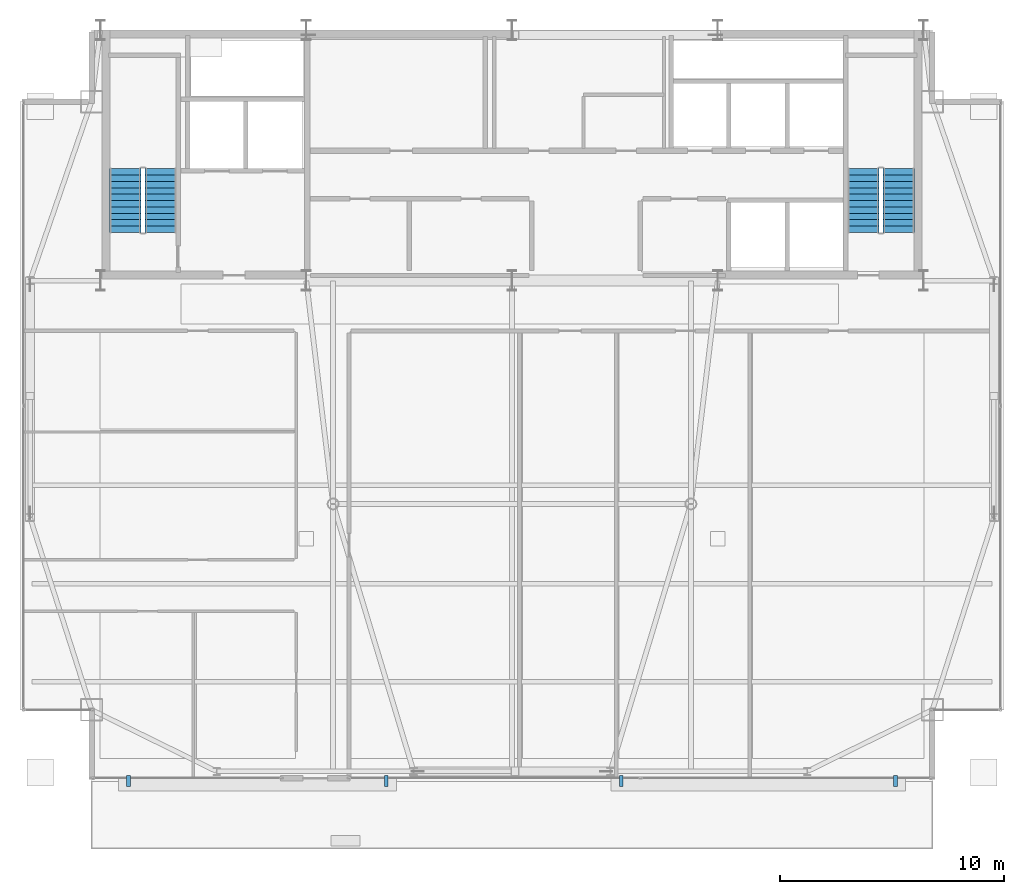
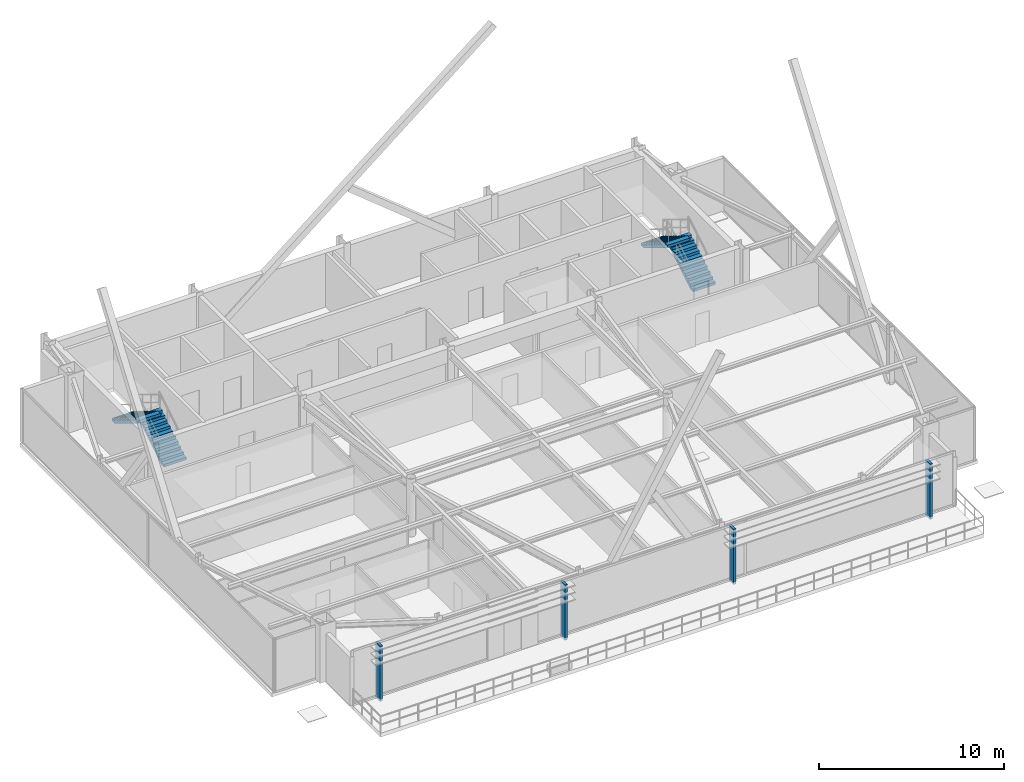
# One storey, part 23 of 25: 4 discrete accessories, 4 stair flights, 2 elements without a shape of their own.
"""IFC4 building model written with IfcOpenShell, lengths in metres."""

from ifc_helpers import new_model, si_unit, direction, frame, origin, origin_2d, place, context, subcontext, project, spatial, polyline, rectangle, outline, extrude, source, transform, mapped, material, layer, layer_set, type_object, type_shapes, element, aggregate, save


model = new_model("IFC4")

# Units and contexts
model_context = context("Model", 3, precision=1e-05, world=origin(), true_north=direction((0.0, 1.0)))
body_context = subcontext(model_context, "Body", "Model", "MODEL_VIEW")
ifc_project = project(units=[si_unit("LENGTHUNIT", "METRE"), si_unit("AREAUNIT", "SQUARE_METRE"), si_unit("VOLUMEUNIT", "CUBIC_METRE"), si_unit("PLANEANGLEUNIT", "RADIAN"), si_unit("MASSUNIT", "GRAM", prefix="KILO")], contexts=[model_context])

# Site, building, storey
site_placement = place(None, origin())
site = spatial("IfcSite", under=ifc_project, at=site_placement, CompositionType="ELEMENT")
building_placement = place(site_placement, origin())
building = spatial("IfcBuilding", under=site, at=building_placement, Name="Varnel Quay Broadcast Tower", CompositionType="ELEMENT")
storey_placement = place(building_placement, frame((0.0, 0.0, 258.39990234375)))
storey = spatial("IfcBuildingStorey", under=building, at=storey_placement, Name="L64", CompositionType="ELEMENT", Elevation=258.39990234375)

# Stair, stair flights
ifc_material_1 = material(Name="Precast Structural Concrete C40/50", Category="concrete")
stair_type_1 = type_object("IfcStairType", Name="Stair_ST-01", PredefinedType="HALF_TURN_STAIR", material=ifc_material_1)
stair_1_placement = place(storey_placement, origin())
stair_1 = element("IfcStair", 1, at=stair_1_placement, inside=storey, type_object=stair_type_1, Name="L64 West Core Exit Stair 1", PredefinedType="HALF_TURN_STAIR")
stair_flight_type_1 = type_object("IfcStairFlightType", Name="Flight_ST-01", PredefinedType="STRAIGHT", material=ifc_material_1)
stair_flight_1_placement = place(storey_placement, frame((18.300048828125, 37.75, 0.0), z_axis=(0.0, 0.0, 1.0), x_axis=(0.0, 1.0, 0.0)))
stair_flight_1 = element("IfcStairFlight", 2, at=stair_flight_1_placement, type_object=stair_flight_type_1, Name="ST-01 flight 1", NumberOfRisers=11, NumberOfTreads=10, PredefinedType="STRAIGHT", RiserHeight=0.172727273, TreadLength=0.285, context=body_context, shape_type="SweptSolid", body=[
    extrude(outline(polyline([(0.0, 0.0), (0.0, 0.172607421875), (0.284912109375, 0.172607421875), (0.284912109375, 0.345458984375), (0.570068359375, 0.345458984375), (0.570068359375, 0.51806640625), (0.85498046875, 0.51806640625), (0.85498046875, 0.69091796875), (1.139892578125, 0.69091796875), (1.139892578125, 0.863525390625), (1.425048828125, 0.863525390625), (1.425048828125, 1.036376953125), (1.7099609375, 1.036376953125), (1.7099609375, 1.208984375), (1.9951171875, 1.208984375), (1.9951171875, 1.3818359375), (2.280029296875, 1.3818359375), (2.280029296875, 1.554443359375), (2.56494140625, 1.554443359375), (2.56494140625, 1.727294921875), (2.85009765625, 1.727294921875), (2.85009765625, 1.89990234375), (2.85009765625, 1.552001953125), (0.289306640625, 0.0), (0.0, 0.0)])), frame((0.0, 0.699951171875, 0.0), z_axis=(0.0, -1.0, 0.0), x_axis=(1.0, 0.0, 0.0)), (0.0, 0.0, 1.0), 1.39990234375),
])
stair_flight_2_placement = place(storey_placement, frame((16.699951171875, 40.60009765625, 1.900146484375), z_axis=(0.0, 0.0, 1.0), x_axis=(0.0, -1.0, 0.0)))
stair_flight_2 = element("IfcStairFlight", 3, at=stair_flight_2_placement, type_object=stair_flight_type_1, Name="ST-01 flight 2", NumberOfRisers=11, NumberOfTreads=10, PredefinedType="STRAIGHT", RiserHeight=0.172727273, TreadLength=0.285, context=body_context, shape_type="SweptSolid", body=[
    extrude(outline(polyline([(0.0, 0.0), (0.0, 0.172607421875), (0.284912109375, 0.172607421875), (0.284912109375, 0.345458984375), (0.570068359375, 0.345458984375), (0.570068359375, 0.51806640625), (0.85498046875, 0.51806640625), (0.85498046875, 0.69091796875), (1.139892578125, 0.69091796875), (1.139892578125, 0.863525390625), (1.425048828125, 0.863525390625), (1.425048828125, 1.036376953125), (1.7099609375, 1.036376953125), (1.7099609375, 1.208984375), (1.9951171875, 1.208984375), (1.9951171875, 1.3818359375), (2.280029296875, 1.3818359375), (2.280029296875, 1.554443359375), (2.56494140625, 1.554443359375), (2.56494140625, 1.727294921875), (2.85009765625, 1.727294921875), (2.85009765625, 1.89990234375), (2.85009765625, 1.552001953125), (0.289306640625, 0.0), (0.0, 0.0)])), frame((0.0, 0.699951171875, 0.0), z_axis=(0.0, -1.0, 0.0), x_axis=(1.0, 0.0, 0.0)), (0.0, 0.0, 1.0), 1.39990234375),
])
aggregate(stair_1, [stair_flight_1, stair_flight_2])

stair_type_2 = type_object("IfcStairType", Name="Stair_ST-02", PredefinedType="HALF_TURN_STAIR", material=ifc_material_1)
stair_2_placement = place(storey_placement, origin())
stair_2 = element("IfcStair", 4, at=stair_2_placement, inside=storey, type_object=stair_type_2, Name="L64 East Core Exit Stair 2", PredefinedType="HALF_TURN_STAIR")
stair_flight_type_2 = type_object("IfcStairFlightType", Name="Flight_ST-02", PredefinedType="STRAIGHT", material=ifc_material_1)
stair_flight_3_placement = place(storey_placement, frame((51.300048828125, 37.75, 0.0), z_axis=(0.0, 0.0, 1.0), x_axis=(0.0, 1.0, 0.0)))
stair_flight_3 = element("IfcStairFlight", 5, at=stair_flight_3_placement, type_object=stair_flight_type_2, Name="ST-02 flight 1", NumberOfRisers=11, NumberOfTreads=10, PredefinedType="STRAIGHT", RiserHeight=0.172727273, TreadLength=0.285, context=body_context, shape_type="SweptSolid", body=[
    extrude(outline(polyline([(0.0, 0.0), (0.0, 0.172607421875), (0.284912109375, 0.172607421875), (0.284912109375, 0.345458984375), (0.570068359375, 0.345458984375), (0.570068359375, 0.51806640625), (0.85498046875, 0.51806640625), (0.85498046875, 0.69091796875), (1.139892578125, 0.69091796875), (1.139892578125, 0.863525390625), (1.425048828125, 0.863525390625), (1.425048828125, 1.036376953125), (1.7099609375, 1.036376953125), (1.7099609375, 1.208984375), (1.9951171875, 1.208984375), (1.9951171875, 1.3818359375), (2.280029296875, 1.3818359375), (2.280029296875, 1.554443359375), (2.56494140625, 1.554443359375), (2.56494140625, 1.727294921875), (2.85009765625, 1.727294921875), (2.85009765625, 1.89990234375), (2.85009765625, 1.552001953125), (0.289306640625, 0.0), (0.0, 0.0)])), frame((0.0, 0.699951171875, 0.0), z_axis=(0.0, -1.0, 0.0), x_axis=(1.0, 0.0, 0.0)), (0.0, 0.0, 1.0), 1.39990234375),
])
stair_flight_4_placement = place(storey_placement, frame((49.699951171875, 40.60009765625, 1.900146484375), z_axis=(0.0, 0.0, 1.0), x_axis=(0.0, -1.0, 0.0)))
stair_flight_4 = element("IfcStairFlight", 6, at=stair_flight_4_placement, type_object=stair_flight_type_2, Name="ST-02 flight 2", NumberOfRisers=11, NumberOfTreads=10, PredefinedType="STRAIGHT", RiserHeight=0.172727273, TreadLength=0.285, context=body_context, shape_type="SweptSolid", body=[
    extrude(outline(polyline([(0.0, 0.0), (0.0, 0.172607421875), (0.284912109375, 0.172607421875), (0.284912109375, 0.345458984375), (0.570068359375, 0.345458984375), (0.570068359375, 0.51806640625), (0.85498046875, 0.51806640625), (0.85498046875, 0.69091796875), (1.139892578125, 0.69091796875), (1.139892578125, 0.863525390625), (1.425048828125, 0.863525390625), (1.425048828125, 1.036376953125), (1.7099609375, 1.036376953125), (1.7099609375, 1.208984375), (1.9951171875, 1.208984375), (1.9951171875, 1.3818359375), (2.280029296875, 1.3818359375), (2.280029296875, 1.554443359375), (2.56494140625, 1.554443359375), (2.56494140625, 1.727294921875), (2.85009765625, 1.727294921875), (2.85009765625, 1.89990234375), (2.85009765625, 1.552001953125), (0.289306640625, 0.0), (0.0, 0.0)])), frame((0.0, 0.699951171875, 0.0), z_axis=(0.0, -1.0, 0.0), x_axis=(1.0, 0.0, 0.0)), (0.0, 0.0, 1.0), 1.39990234375),
])
aggregate(stair_2, [stair_flight_3, stair_flight_4])

# Discrete accessories
ifc_material_2 = material(Name="Anodised Bronze Aluminium 6063-T6", Category="aluminium")
ifc_layer = layer(ifc_material_2, 0.47998046875, Name="Anodised Bronze Aluminium 6063-T6")
ifc_layer_set = layer_set([ifc_layer], Name="Anodised Bronze Aluminium 6063-T6")
discrete_accessory_type = type_object("IfcDiscreteAccessoryType", Name="Acc_FacadeBracket", PredefinedType="BRACKET", material=ifc_layer_set)
shared_shape = source(origin(), body_context, "Body", "SweptSolid", [
    extrude(rectangle(XDim=0.159912109375, YDim=0.47998046875, at=origin_2d()), origin(), (0.0, 0.0, 1.0), 3.64990234375),
])
type_shapes(discrete_accessory_type, [shared_shape])
for number, where, z_axis, x_axis, name in (
    (7, (16.85009765625, 13.219970703125, -0.14990234375), (0.0, 0.0, 1.0), (1.0, 0.0, 0.0), "L64 Lobe 1 Louvre Support Bracket 1"),
    (8, (28.384033203125, 13.219970703125, -0.14990234375), (0.0, 0.0, 1.0), (1.0, 0.0, 0.0), "L64 Lobe 1 Louvre Support Bracket 2"),
    (9, (38.884033203125, 13.219970703125, -0.14990234375), (0.0, 0.0, 1.0), (1.0, 0.0, 0.0), "L64 Lobe 2 Louvre Support Bracket 1"),
    (10, (51.14990234375, 13.219970703125, -0.14990234375), (0.0, 0.0, 1.0), (1.0, 0.0, 0.0), "L64 Lobe 2 Louvre Support Bracket 2"),
):
    element("IfcDiscreteAccessory", number, at=place(storey_placement, frame(where, z_axis=z_axis, x_axis=x_axis)), inside=storey, type_object=discrete_accessory_type, Name=name, PredefinedType="BRACKET", context=body_context, shape_type="MappedRepresentation", body=[
        mapped(shared_shape, transform((0.0, 0.0, 0.0), x_axis=(1.0, 0.0, 0.0), y_axis=(0.0, 1.0, 0.0), z_axis=(0.0, 0.0, 1.0), scale=1.0)),
    ])

save(model, "model.ifc")
